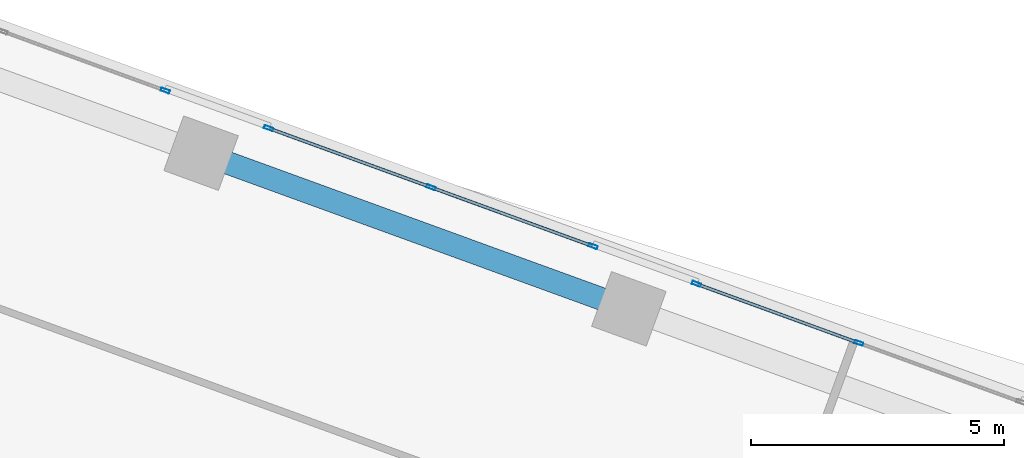
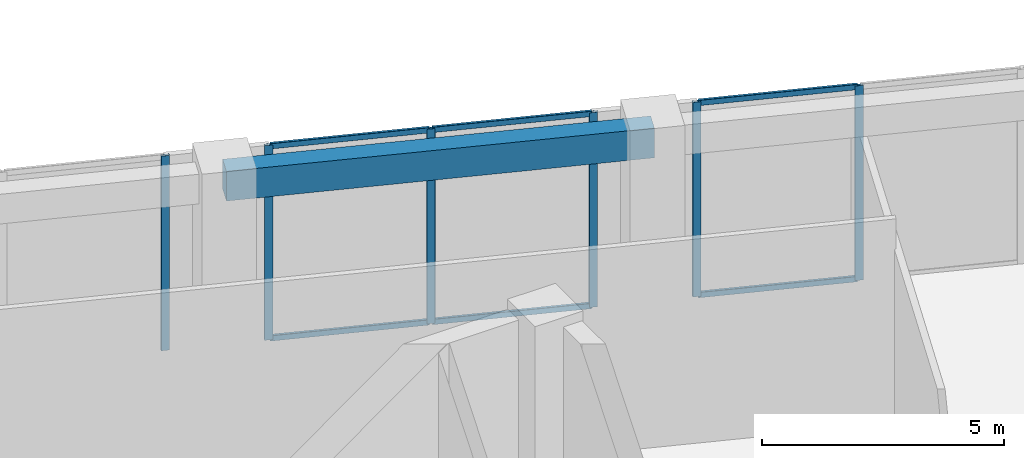
# One storey, part 14 of 21: 12 members, 1 beam, 3 elements without a shape of their own.
"""IFC4 building model written with IfcOpenShell, lengths in metres."""

from ifc_helpers import new_model, si_unit, direction, frame, origin, origin_2d, place, context, subcontext, project, spatial, rectangle, hollow_rectangle, extrude, source, transform, mapped, material, material_profile, profile_set, type_object, element, aggregate, save


model = new_model("IFC4")

# Units and contexts
model_context = context("Model", 3, precision=1e-05, world=origin(), true_north=direction((0.0, 1.0)))
body_context = subcontext(model_context, "Body", "Model", "MODEL_VIEW")
ifc_project = project(units=[si_unit("LENGTHUNIT", "METRE"), si_unit("AREAUNIT", "SQUARE_METRE"), si_unit("VOLUMEUNIT", "CUBIC_METRE"), si_unit("PLANEANGLEUNIT", "RADIAN"), si_unit("MASSUNIT", "GRAM", prefix="KILO")], contexts=[model_context])

# Site, building, storey
site_placement = place(None, origin())
site = spatial("IfcSite", under=ifc_project, at=site_placement, CompositionType="ELEMENT")
building_placement = place(site_placement, origin())
building = spatial("IfcBuilding", under=site, at=building_placement, Name="Torre Montelarca", CompositionType="ELEMENT")
storey_placement = place(building_placement, frame((0.0, 0.0, 127.60009765625)))
storey = spatial("IfcBuildingStorey", under=building, at=storey_placement, Name="L28", CompositionType="ELEMENT", Elevation=127.60009765625)

# Beam
ifc_material_1 = material(Name="Concrete C55/67", Category="concrete")
ifc_material_profile_1 = material_profile(ifc_material_1, rectangle(XDim=0.449951171875, YDim=0.75, at=origin_2d()), Name="RCB450X750", Category="concrete")
ifc_profile_set_1 = profile_set([ifc_material_profile_1], Name="Concrete C55/67")
beam_type = type_object("IfcBeamType", Name="BM-SP-RC750-EXT", PredefinedType="SPANDREL", material=ifc_profile_set_1)
shared_shape_1 = source(origin(), body_context, "Body", "SweptSolid", [
    extrude(rectangle(XDim=0.449951171875, YDim=0.75, at=origin_2d()), origin(), (0.0, 0.0, 1.0), 9.0),
])
beam_placement = place(storey_placement, frame((23.392578125, 47.433349609375, 4.784912109375), z_axis=(0.939695174234, -0.342013127703, 0.0), x_axis=(0.342013127703, 0.939695174234, 0.0)))
element("IfcBeam", 1, at=beam_placement, inside=storey, type_object=beam_type, Name="L28 Grid Girder X 18.0-27.0 at Y=47.1", PredefinedType="SPANDREL", context=body_context, shape_type="MappedRepresentation", body=[
    mapped(shared_shape_1, transform((0.0, 0.0, 0.0), scale=1.0)),
])

# Curtain wall, members
ifc_material_2 = material(Name="Insulated low-E laminated glass", Category="glass")
curtain_wall_type = type_object("IfcCurtainWallType", Name="CW-SYS-Z2", PredefinedType="USERDEFINED", material=ifc_material_2)
curtain_wall_1_placement = place(storey_placement, origin())
curtain_wall_1 = element("IfcCurtainWall", 2, at=curtain_wall_1_placement, inside=storey, type_object=curtain_wall_type, Name="L28 Curtain Wall Run CW-T3-L28-E08-B2", ObjectType="UNITISED GLAZING", PredefinedType="USERDEFINED")
ifc_material_3 = material(Name="Anodised aluminium AA 6063-T6", Category="aluminium")
ifc_material_profile_2 = material_profile(ifc_material_3, hollow_rectangle(XDim=0.06494140625, YDim=0.179931640625, WallThickness=0.00390625, InnerFilletRadius=0.00390625, OuterFilletRadius=0.008056640625, at=origin_2d()), Name="ALU65X180X4", Category="aluminium")
ifc_profile_set_2 = profile_set([ifc_material_profile_2], Name="Anodised aluminium AA 6063-T6")
member_type_1 = type_object("IfcMemberType", Name="CWM-ALU180", PredefinedType="MULLION", material=ifc_profile_set_2)
shared_shape_2 = source(origin(), body_context, "Body", "SweptSolid", [
    extrude(hollow_rectangle(XDim=0.06494140625, YDim=0.179931640625, WallThickness=0.00390625, InnerFilletRadius=0.00390625, OuterFilletRadius=0.008056640625, at=origin_2d()), origin(), (0.0, 0.0, 1.0), 4.919921875),
])
member_1_placement = place(storey_placement, frame((36.39306640625, 43.6806640625, 0.0), z_axis=(0.0, 0.0, 1.0), x_axis=(-0.342016903212, -0.939693800085, 0.0)))
member_1 = element("IfcMember", 3, at=member_1_placement, type_object=member_type_1, Name="CW mullion 2", PredefinedType="MULLION", context=body_context, shape_type="MappedRepresentation", body=[
    mapped(shared_shape_2, transform((0.0, 0.0, 0.0), scale=1.0)),
])
member_2_placement = place(storey_placement, frame((33.1865234375, 44.847900390625, 0.0), z_axis=(0.0, 0.0, 1.0), x_axis=(-0.342016903212, -0.939693800085, 0.0)))
member_2 = element("IfcMember", 4, at=member_2_placement, type_object=member_type_1, Name="CW mullion 3", PredefinedType="MULLION", context=body_context, shape_type="MappedRepresentation", body=[
    mapped(shared_shape_2, transform((0.0, 0.0, 0.0), scale=1.0)),
])

curtain_wall_2_placement = place(storey_placement, origin())
curtain_wall_2 = element("IfcCurtainWall", 5, at=curtain_wall_2_placement, inside=storey, type_object=curtain_wall_type, Name="L28 Curtain Wall Run CW-T3-L28-E08-B3", ObjectType="UNITISED GLAZING", PredefinedType="USERDEFINED")
member_3_placement = place(storey_placement, frame((31.142578125, 45.591796875, 0.0), z_axis=(0.0, 0.0, 1.0), x_axis=(-0.342016903212, -0.939693800085, 0.0)))
member_3 = element("IfcMember", 6, at=member_3_placement, type_object=member_type_1, Name="CW mullion 1", PredefinedType="MULLION", context=body_context, shape_type="MappedRepresentation", body=[
    mapped(shared_shape_2, transform((0.0, 0.0, 0.0), scale=1.0)),
])
member_4_placement = place(storey_placement, frame((27.93603515625, 46.7587890625, 0.0), z_axis=(0.0, 0.0, 1.0), x_axis=(-0.342016903212, -0.939693800085, 0.0)))
member_4 = element("IfcMember", 7, at=member_4_placement, type_object=member_type_1, Name="CW mullion 2", PredefinedType="MULLION", context=body_context, shape_type="MappedRepresentation", body=[
    mapped(shared_shape_2, transform((0.0, 0.0, 0.0), scale=1.0)),
])
member_5_placement = place(storey_placement, frame((24.729248046875, 47.926025390625, 0.0), z_axis=(0.0, 0.0, 1.0), x_axis=(-0.342016903212, -0.939693800085, 0.0)))
member_5 = element("IfcMember", 8, at=member_5_placement, type_object=member_type_1, Name="CW mullion 3", PredefinedType="MULLION", context=body_context, shape_type="MappedRepresentation", body=[
    mapped(shared_shape_2, transform((0.0, 0.0, 0.0), scale=1.0)),
])

# Curtain wall, member
curtain_wall_3_placement = place(storey_placement, origin())
curtain_wall_3 = element("IfcCurtainWall", 9, at=curtain_wall_3_placement, inside=storey, type_object=curtain_wall_type, Name="L28 Curtain Wall Run CW-T3-L28-E08-B4", ObjectType="UNITISED GLAZING", PredefinedType="USERDEFINED")
member_6_placement = place(storey_placement, frame((22.685546875, 48.669921875, 0.0), z_axis=(0.0, 0.0, 1.0), x_axis=(-0.342012238686, -0.939695497802, 0.0)))
member_6 = element("IfcMember", 10, at=member_6_placement, type_object=member_type_1, Name="CW mullion 1", PredefinedType="MULLION", context=body_context, shape_type="MappedRepresentation", body=[
    mapped(shared_shape_2, transform((0.0, 0.0, 0.0), scale=1.0)),
])
aggregate(curtain_wall_3, [member_6])

# Member
ifc_material_profile_3 = material_profile(ifc_material_3, hollow_rectangle(XDim=0.06494140625, YDim=0.139892578125, WallThickness=0.00390625, InnerFilletRadius=0.00390625, OuterFilletRadius=0.008056640625, at=origin_2d()), Name="ALU65X140X4", Category="aluminium")
ifc_profile_set_3 = profile_set([ifc_material_profile_3], Name="Anodised aluminium AA 6063-T6")
member_type_2 = type_object("IfcMemberType", Name="CWT-ALU140", PredefinedType="USERDEFINED", material=ifc_profile_set_3)
shared_shape_3 = source(origin(), body_context, "Body", "SweptSolid", [
    extrude(hollow_rectangle(XDim=0.06494140625, YDim=0.139892578125, WallThickness=0.00390625, InnerFilletRadius=0.00390625, OuterFilletRadius=0.008056640625, at=origin_2d()), origin(), (0.0, 0.0, 1.0), 3.34765625),
])
member_7_placement = place(storey_placement, frame((27.905517578125, 46.77001953125, 0.032470703125), z_axis=(-0.939710350716, 0.341971426815, 0.0), x_axis=(-0.341971426815, -0.939710350716, 0.0)))
member_7 = element("IfcMember", 11, at=member_7_placement, type_object=member_type_2, Name="CW transom 2.1", ObjectType="TRANSOM", PredefinedType="USERDEFINED", context=body_context, shape_type="MappedRepresentation", body=[
    mapped(shared_shape_3, transform((0.0, 0.0, 0.0), scale=1.0)),
])

member_8_placement = place(storey_placement, frame((27.905517578125, 46.77001953125, 4.887451171875), z_axis=(-0.939710350716, 0.341971426815, 0.0), x_axis=(-0.341971426815, -0.939710350716, 0.0)))
member_8 = element("IfcMember", 12, at=member_8_placement, type_object=member_type_2, Name="CW transom 2.2", ObjectType="TRANSOM", PredefinedType="USERDEFINED", context=body_context, shape_type="MappedRepresentation", body=[
    mapped(shared_shape_3, transform((0.0, 0.0, 0.0), scale=1.0)),
])

shared_shape_4 = source(origin(), body_context, "Body", "SweptSolid", [
    extrude(hollow_rectangle(XDim=0.06494140625, YDim=0.139892578125, WallThickness=0.00390625, InnerFilletRadius=0.00390625, OuterFilletRadius=0.008056640625, at=origin_2d()), origin(), (0.0, 0.0, 1.0), 3.347412109375),
])
member_9_placement = place(storey_placement, frame((36.362548828125, 43.691650390625, 0.032470703125), z_axis=(-0.939678379855, 0.342059267426, 0.0), x_axis=(-0.342059267426, -0.939678379855, 0.0)))
member_9 = element("IfcMember", 13, at=member_9_placement, type_object=member_type_2, Name="CW transom 2.1", ObjectType="TRANSOM", PredefinedType="USERDEFINED", context=body_context, shape_type="MappedRepresentation", body=[
    mapped(shared_shape_4, transform((0.0, 0.0, 0.0), scale=1.0)),
])

member_10_placement = place(storey_placement, frame((36.362548828125, 43.691650390625, 4.887451171875), z_axis=(-0.939678379855, 0.342059267426, 0.0), x_axis=(-0.342059267426, -0.939678379855, 0.0)))
member_10 = element("IfcMember", 14, at=member_10_placement, type_object=member_type_2, Name="CW transom 2.2", ObjectType="TRANSOM", PredefinedType="USERDEFINED", context=body_context, shape_type="MappedRepresentation", body=[
    mapped(shared_shape_4, transform((0.0, 0.0, 0.0), scale=1.0)),
])

aggregate(curtain_wall_1, [member_1, member_2, member_9, member_10])

member_11_placement = place(storey_placement, frame((31.112060546875, 45.602783203125, 0.032470703125), z_axis=(-0.939678379855, 0.342059267426, 0.0), x_axis=(-0.342059267426, -0.939678379855, 0.0)))
member_11 = element("IfcMember", 15, at=member_11_placement, type_object=member_type_2, Name="CW transom 1.1", ObjectType="TRANSOM", PredefinedType="USERDEFINED", context=body_context, shape_type="MappedRepresentation", body=[
    mapped(shared_shape_4, transform((0.0, 0.0, 0.0), scale=1.0)),
])

member_12_placement = place(storey_placement, frame((31.112060546875, 45.602783203125, 4.887451171875), z_axis=(-0.939678379855, 0.342059267426, 0.0), x_axis=(-0.342059267426, -0.939678379855, 0.0)))
member_12 = element("IfcMember", 16, at=member_12_placement, type_object=member_type_2, Name="CW transom 1.2", ObjectType="TRANSOM", PredefinedType="USERDEFINED", context=body_context, shape_type="MappedRepresentation", body=[
    mapped(shared_shape_4, transform((0.0, 0.0, 0.0), scale=1.0)),
])

aggregate(curtain_wall_2, [member_3, member_4, member_5, member_11, member_12, member_7, member_8])

save(model, "model.ifc")
